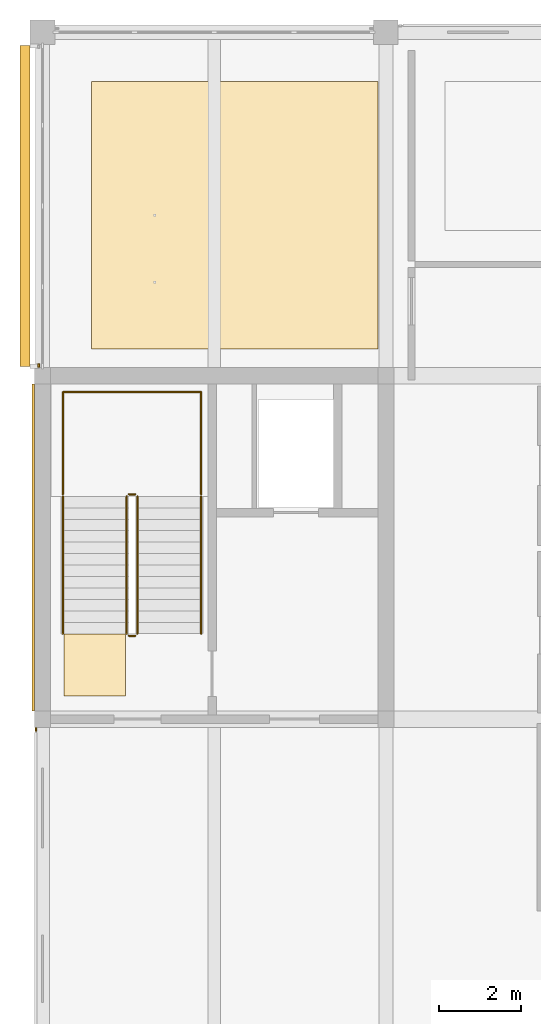
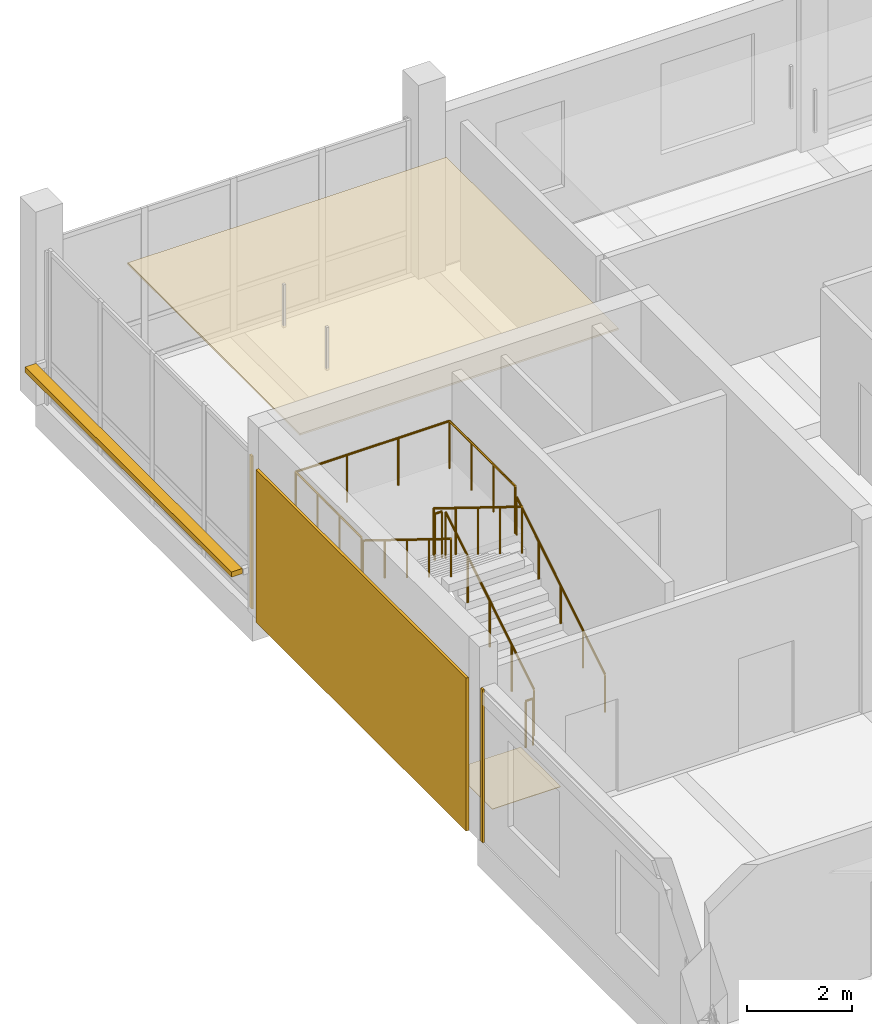
# One storey, part 24 of 29: 7 railings, 5 coverings, 1 shading device.
"""IFC4 building model written with IfcOpenShell, lengths in metres."""

from ifc_helpers import new_model, si_unit, direction, frame, origin, origin_2d, place, context, subcontext, project, spatial, polyline, rectangle, circle, outline, extrude, material, layer, layer_set, type_object, element, save


model = new_model("IFC4")

# Units and contexts
model_context = context("Model", 3, precision=1e-05, world=origin(), true_north=direction((0.0, 1.0)))
body_context = subcontext(model_context, "Body", "Model", "MODEL_VIEW")
ifc_project = project(units=[si_unit("LENGTHUNIT", "METRE"), si_unit("AREAUNIT", "SQUARE_METRE"), si_unit("VOLUMEUNIT", "CUBIC_METRE"), si_unit("PLANEANGLEUNIT", "RADIAN"), si_unit("MASSUNIT", "GRAM", prefix="KILO")], contexts=[model_context])

# Site, building, storey
site_placement = place(None, origin())
site = spatial("IfcSite", under=ifc_project, at=site_placement, CompositionType="ELEMENT")
building_placement = place(site_placement, origin())
building = spatial("IfcBuilding", under=site, at=building_placement, Name="Telukmera Botanical Conservatory", CompositionType="ELEMENT")
storey_placement = place(building_placement, frame((0.0, 0.0, 55.5)))
storey = spatial("IfcBuildingStorey", under=building, at=storey_placement, Name="L12", CompositionType="ELEMENT", Elevation=55.5)

# Coverings
ifc_material_1 = material(Name="Perforated gypsum acoustic ceiling")
ifc_layer_1 = layer(ifc_material_1, 0.0400390625)
ifc_layer_set_1 = layer_set([ifc_layer_1], Name="Perforated gypsum acoustic ceiling")
covering_type_1 = type_object("IfcCoveringType", Name="COV-CEIL-40", PredefinedType="CEILING", material=ifc_layer_set_1)
covering_1_placement = place(storey_placement, frame((0.0, 0.0, 3.31005859375)))
element("IfcCovering", 1, at=covering_1_placement, inside=storey, type_object=covering_type_1, Name="L12 Optical Microtomy Laboratory Suspended Acoustic Ceiling", PredefinedType="CEILING", context=body_context, shape_type="SweptSolid", body=[
    extrude(outline(polyline([(60.0, 35.050048828125), (67.0, 35.050048828125), (67.0, 41.60009765625), (60.0, 41.60009765625), (60.0, 35.050048828125)])), origin(), (0.0, 0.0, 1.0), 0.0400390625),
])
ifc_material_2 = material(Name="Honed granite non-slip flooring", Category="masonry")
ifc_layer_2 = layer(ifc_material_2, 0.011962890625)
ifc_layer_set_2 = layer_set([ifc_layer_2], Name="Honed granite non-slip flooring")
covering_type_2 = type_object("IfcCoveringType", Name="COV-FLR-12", PredefinedType="FLOORING", material=ifc_layer_set_2)
covering_2_placement = place(storey_placement, origin())
element("IfcCovering", 2, at=covering_2_placement, inside=storey, type_object=covering_type_2, Name="L12 ST1 Non-Slip Stair Landing Finish", PredefinedType="FLOORING", context=body_context, shape_type="SweptSolid", body=[
    extrude(outline(polyline([(60.830078125, 26.570068359375), (60.830078125, 28.0849609375), (59.330078125, 28.0849609375), (59.330078125, 26.570068359375), (60.830078125, 26.570068359375)])), origin(), (0.0, 0.0, 1.0), 0.011962890625),
])
ifc_material_3 = material(Name="Granite-faced precast concrete C40/50", Category="masonry")
ifc_layer_3 = layer(ifc_material_3, 0.0400390625)
ifc_layer_set_3 = layer_set([ifc_layer_3], Name="Granite-faced precast concrete C40/50")
covering_type_3 = type_object("IfcCoveringType", Name="Granite Precast Column Pier Reveal Casing", PredefinedType="CLADDING", material=ifc_layer_set_3)
for number, where, z_axis, x_axis, name in (
    (3, (58.639892578125, 25.748046875, 0.0), (0.0, 0.0, 1.0), (0.0, 1.0, 0.0), "Granite Pier Reveal V4:L12:W2 R"),
    (4, (58.7099609375, 34.652099609375, 0.0), (0.0, 0.0, 1.0), (0.0, 1.0, 0.0), "Granite Pier Reveal V4:L12:W4 L"),
):
    element("IfcCovering", number, at=place(storey_placement, frame(where, z_axis=z_axis, x_axis=x_axis)), inside=storey, type_object=covering_type_3, Name=name, PredefinedType="CLADDING", context=body_context, shape_type="SweptSolid", body=[
        extrude(rectangle(XDim=0.080078125, YDim=0.0400390625, at=origin_2d()), origin(), (0.0, 0.0, 1.0), 3.550048828125),
    ])

# Shading device
ifc_material_4 = material(Name="Perforated terracotta-anodised aluminium 6063-T6", Category="masonry")
ifc_layer_4 = layer(ifc_material_4, 0.044921875)
ifc_layer_set_4 = layer_set([ifc_layer_4], Name="Perforated terracotta-anodised aluminium 6063-T6")
shading_device_type = type_object("IfcShadingDeviceType", Name="Perforated Terracotta Aluminium Monsoon Brise Soleil", PredefinedType="JALOUSIE", material=ifc_layer_set_4)
shading_device_placement = place(storey_placement, frame((58.3701171875, 38.550048828125, 0.889892578125), z_axis=(0.0, 0.0, 1.0), x_axis=(0.0, 1.0, 0.0)))
element("IfcShadingDevice", 5, at=shading_device_placement, inside=storey, type_object=shading_device_type, Name="Monsoon Shading BS01 V4:L12:W4", PredefinedType="JALOUSIE", context=body_context, shape_type="SweptSolid", body=[
    extrude(rectangle(XDim=7.85595703125, YDim=0.239990234375, at=origin_2d()), origin(), (0.0, 0.0, 1.0), 0.1201171875),
])

# Railings
ifc_material_5 = material(Name="Steel S355", Category="steel")
railing_type_1 = type_object("IfcRailingType", Name="RL-GUARD-1100", PredefinedType="GUARDRAIL", material=ifc_material_5)
railing_1_placement = place(storey_placement, frame((61.1201171875, 28.090087890625, 0.173095703125)))
element("IfcRailing", 6, at=railing_1_placement, inside=storey, type_object=railing_type_1, Name="L12 ST1 stair guard 1", PredefinedType="GUARDRAIL", context=body_context, shape_type="SweptSolid", body=[
    extrude(circle(Radius=0.02392578125, at=origin_2d()), frame((0.0, 0.0, 1.076171875), z_axis=(0.0, 0.850606129759, 0.525803396734), x_axis=(-1.0, 0.0, 0.0)), (0.0, 0.0, 1.0), 3.949951171875),
    extrude(circle(Radius=0.02099609375, at=origin_2d()), origin(), (0.0, 0.0, 1.0), 1.052001953125),
    extrude(circle(Radius=0.02099609375, at=origin_2d()), frame((0.0, 0.83984375, 0.519287109375)), (0.0, 0.0, 1.0), 1.052001953125),
    extrude(circle(Radius=0.02099609375, at=origin_2d()), frame((0.0, 1.679931640625, 1.03857421875)), (0.0, 0.0, 1.0), 1.052001953125),
    extrude(circle(Radius=0.02099609375, at=origin_2d()), frame((0.0, 2.52001953125, 1.5576171875)), (0.0, 0.0, 1.0), 1.052001953125),
    extrude(circle(Radius=0.02099609375, at=origin_2d()), frame((0.0, 3.35986328125, 2.076904296875)), (0.0, 0.0, 1.0), 1.052001953125),
])
railing_2_placement = place(storey_placement, frame((61.070068359375, 31.5, 2.25)))
element("IfcRailing", 7, at=railing_2_placement, inside=storey, type_object=railing_type_1, Name="L12 ST1 stair guard 2", PredefinedType="GUARDRAIL", context=body_context, shape_type="SweptSolid", body=[
    extrude(circle(Radius=0.02392578125, at=origin_2d()), frame((0.0, 0.0, 1.076171875), z_axis=(-1.0, 0.0, 0.0), x_axis=(0.0, -1.0, 0.0)), (0.0, 0.0, 1.0), 0.16015625),
    extrude(circle(Radius=0.02099609375, at=origin_2d()), origin(), (0.0, 0.0, 1.0), 1.052001953125),
    extrude(circle(Radius=0.02099609375, at=origin_2d()), frame((-0.16015625, 0.0, 0.0)), (0.0, 0.0, 1.0), 1.052001953125),
])
railing_3_placement = place(storey_placement, frame((60.860107421875, 31.449951171875, 2.423095703125)))
element("IfcRailing", 8, at=railing_3_placement, inside=storey, type_object=railing_type_1, Name="L12 ST1 stair guard 3", PredefinedType="GUARDRAIL", context=body_context, shape_type="SweptSolid", body=[
    extrude(circle(Radius=0.02392578125, at=origin_2d()), frame((0.0, 0.0, 1.076171875), z_axis=(0.0, -0.850606129759, 0.525803396734), x_axis=(1.0, 0.0, 0.0)), (0.0, 0.0, 1.0), 3.949951171875),
    extrude(circle(Radius=0.02099609375, at=origin_2d()), origin(), (0.0, 0.0, 1.0), 1.052001953125),
    extrude(circle(Radius=0.02099609375, at=origin_2d()), frame((0.0, -0.83984375, 0.519287109375)), (0.0, 0.0, 1.0), 1.052001953125),
    extrude(circle(Radius=0.02099609375, at=origin_2d()), frame((0.0, -1.679931640625, 1.03857421875)), (0.0, 0.0, 1.0), 1.052001953125),
    extrude(circle(Radius=0.02099609375, at=origin_2d()), frame((0.0, -2.52001953125, 1.5576171875)), (0.0, 0.0, 1.0), 1.052001953125),
    extrude(circle(Radius=0.02099609375, at=origin_2d()), frame((0.0, -3.35986328125, 2.076904296875)), (0.0, 0.0, 1.0), 1.052001953125),
])
railing_4_placement = place(storey_placement, frame((61.070068359375, 28.0400390625, 0.0)))
element("IfcRailing", 9, at=railing_4_placement, inside=storey, type_object=railing_type_1, Name="L12 ST1 stair guard 4", PredefinedType="GUARDRAIL", context=body_context, shape_type="SweptSolid", body=[
    extrude(circle(Radius=0.02392578125, at=origin_2d()), frame((0.0, 0.0, 1.076171875), z_axis=(-1.0, 0.0, 0.0), x_axis=(0.0, -1.0, 0.0)), (0.0, 0.0, 1.0), 0.16015625),
    extrude(circle(Radius=0.02099609375, at=origin_2d()), origin(), (0.0, 0.0, 1.0), 1.052001953125),
    extrude(circle(Radius=0.02099609375, at=origin_2d()), frame((-0.16015625, 0.0, 0.0)), (0.0, 0.0, 1.0), 1.052001953125),
])
railing_5_placement = place(storey_placement, frame((62.679931640625, 31.5, 2.25)))
element("IfcRailing", 10, at=railing_5_placement, inside=storey, type_object=railing_type_1, Name="L12 ST1 half-landing perimeter guard 1", PredefinedType="GUARDRAIL", context=body_context, shape_type="SweptSolid", body=[
    extrude(circle(Radius=0.02392578125, at=origin_2d()), frame((0.0, 0.0, 1.09619140625), z_axis=(0.0, 1.0, 0.0), x_axis=(-1.0, 0.0, 0.0)), (0.0, 0.0, 1.0), 2.5),
    extrude(circle(Radius=0.02392578125, at=origin_2d()), frame((0.0, 2.5, 1.09619140625), z_axis=(-1.0, 0.0, 0.0), x_axis=(0.0, -1.0, 0.0)), (0.0, 0.0, 1.0), 3.3798828125),
    extrude(circle(Radius=0.02392578125, at=origin_2d()), frame((-3.3798828125, 2.5, 1.09619140625), z_axis=(0.0, -1.0, 0.0), x_axis=(1.0, 0.0, 0.0)), (0.0, 0.0, 1.0), 2.5),
    extrude(circle(Radius=0.02099609375, at=origin_2d()), origin(), (0.0, 0.0, 1.0), 1.072021484375),
    extrude(circle(Radius=0.02099609375, at=origin_2d()), frame((0.0, 0.833251953125, 0.0)), (0.0, 0.0, 1.0), 1.072021484375),
    extrude(circle(Radius=0.02099609375, at=origin_2d()), frame((0.0, 1.666748046875, 0.0)), (0.0, 0.0, 1.0), 1.072021484375),
    extrude(circle(Radius=0.02099609375, at=origin_2d()), frame((0.0, 2.5, 0.0)), (0.0, 0.0, 1.0), 1.072021484375),
    extrude(circle(Radius=0.02099609375, at=origin_2d()), frame((-1.126708984375, 2.5, 0.0)), (0.0, 0.0, 1.0), 1.072021484375),
    extrude(circle(Radius=0.02099609375, at=origin_2d()), frame((-2.253173828125, 2.5, 0.0)), (0.0, 0.0, 1.0), 1.072021484375),
    extrude(circle(Radius=0.02099609375, at=origin_2d()), frame((-3.3798828125, 2.5, 0.0)), (0.0, 0.0, 1.0), 1.072021484375),
    extrude(circle(Radius=0.02099609375, at=origin_2d()), frame((-3.3798828125, 1.666748046875, 0.0)), (0.0, 0.0, 1.0), 1.072021484375),
    extrude(circle(Radius=0.02099609375, at=origin_2d()), frame((-3.3798828125, 0.833251953125, 0.0)), (0.0, 0.0, 1.0), 1.072021484375),
    extrude(circle(Radius=0.02099609375, at=origin_2d()), frame((-3.3798828125, 0.0, 0.0)), (0.0, 0.0, 1.0), 1.072021484375),
])
ifc_material_6 = material(Name="Stainless steel 316", Category="steel")
railing_type_2 = type_object("IfcRailingType", Name="RL-HAND-900", PredefinedType="HANDRAIL", material=ifc_material_6)
railing_6_placement = place(storey_placement, frame((62.679931640625, 28.090087890625, 0.173095703125)))
element("IfcRailing", 11, at=railing_6_placement, inside=storey, type_object=railing_type_2, Name="L12 ST1 stair handrail 1", PredefinedType="HANDRAIL", context=body_context, shape_type="SweptSolid", body=[
    extrude(circle(Radius=0.02392578125, at=origin_2d()), frame((0.0, 0.0, 0.8759765625), z_axis=(0.0, 0.850606129759, 0.525803396734), x_axis=(-1.0, 0.0, 0.0)), (0.0, 0.0, 1.0), 3.949951171875),
    extrude(circle(Radius=0.02099609375, at=origin_2d()), origin(), (0.0, 0.0, 1.0), 0.851806640625),
    extrude(circle(Radius=0.02099609375, at=origin_2d()), frame((0.0, 0.83984375, 0.519287109375)), (0.0, 0.0, 1.0), 0.851806640625),
    extrude(circle(Radius=0.02099609375, at=origin_2d()), frame((0.0, 1.679931640625, 1.03857421875)), (0.0, 0.0, 1.0), 0.851806640625),
    extrude(circle(Radius=0.02099609375, at=origin_2d()), frame((0.0, 2.52001953125, 1.5576171875)), (0.0, 0.0, 1.0), 0.851806640625),
    extrude(circle(Radius=0.02099609375, at=origin_2d()), frame((0.0, 3.35986328125, 2.076904296875)), (0.0, 0.0, 1.0), 0.851806640625),
])
railing_7_placement = place(storey_placement, frame((59.300048828125, 31.449951171875, 2.423095703125)))
element("IfcRailing", 12, at=railing_7_placement, inside=storey, type_object=railing_type_2, Name="L12 ST1 stair handrail 2", PredefinedType="HANDRAIL", context=body_context, shape_type="SweptSolid", body=[
    extrude(circle(Radius=0.02392578125, at=origin_2d()), frame((0.0, 0.0, 0.8759765625), z_axis=(0.0, -0.850606129759, 0.525803396734), x_axis=(1.0, 0.0, 0.0)), (0.0, 0.0, 1.0), 3.949951171875),
    extrude(circle(Radius=0.02099609375, at=origin_2d()), origin(), (0.0, 0.0, 1.0), 0.851806640625),
    extrude(circle(Radius=0.02099609375, at=origin_2d()), frame((0.0, -0.83984375, 0.519287109375)), (0.0, 0.0, 1.0), 0.851806640625),
    extrude(circle(Radius=0.02099609375, at=origin_2d()), frame((0.0, -1.679931640625, 1.03857421875)), (0.0, 0.0, 1.0), 0.851806640625),
    extrude(circle(Radius=0.02099609375, at=origin_2d()), frame((0.0, -2.52001953125, 1.5576171875)), (0.0, 0.0, 1.0), 0.851806640625),
    extrude(circle(Radius=0.02099609375, at=origin_2d()), frame((0.0, -3.35986328125, 2.076904296875)), (0.0, 0.0, 1.0), 0.851806640625),
])

# Covering
ifc_material_7 = material(Name="Terracotta-faced precast concrete C40/50", Category="masonry")
ifc_layer_5 = layer(ifc_material_7, 0.06005859375)
ifc_layer_set_5 = layer_set([ifc_layer_5], Name="Terracotta-faced precast concrete C40/50")
covering_type_4 = type_object("IfcCoveringType", Name="Terracotta Core Perimeter Cladding Panel", PredefinedType="CLADDING", material=ifc_layer_set_5)
covering_3_placement = place(storey_placement, frame((58.570068359375, 30.199951171875, 0.0), z_axis=(0.0, 0.0, 1.0), x_axis=(0.0, 1.0, 0.0)))
element("IfcCovering", 13, at=covering_3_placement, inside=storey, type_object=covering_type_4, Name="Core Perimeter Terracotta Cladding V4:L12:W3", PredefinedType="CLADDING", context=body_context, shape_type="SweptSolid", body=[
    extrude(rectangle(XDim=7.99609375, YDim=0.06005859375, at=origin_2d()), origin(), (0.0, 0.0, 1.0), 3.550048828125),
])

save(model, "model.ifc")
